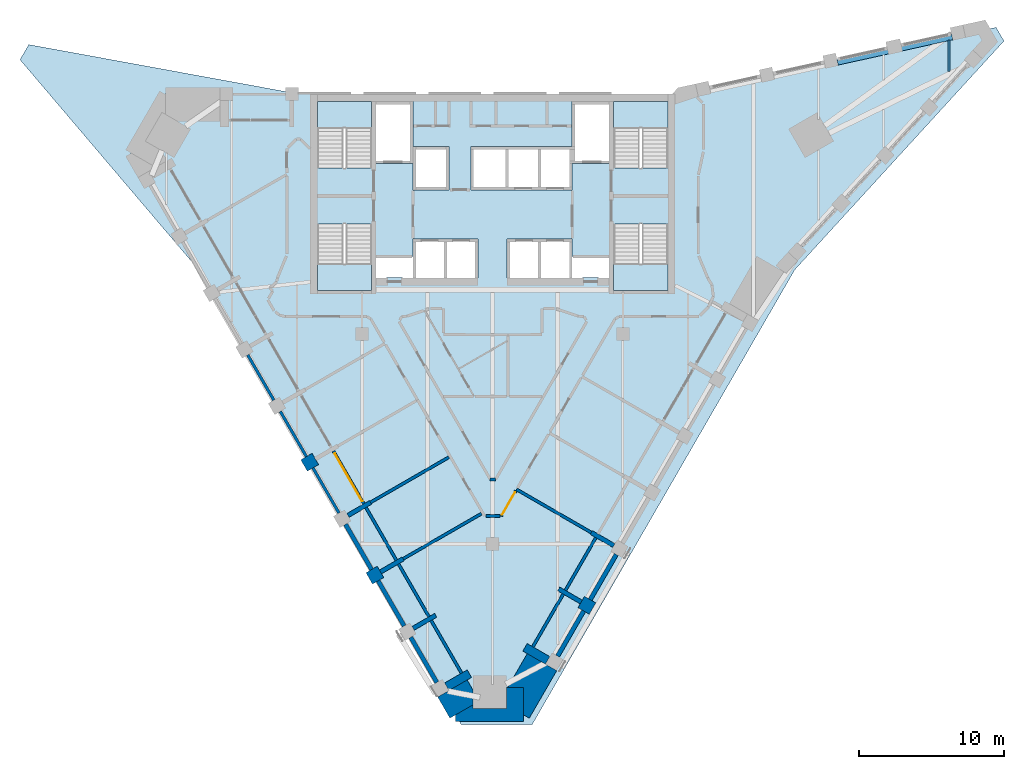
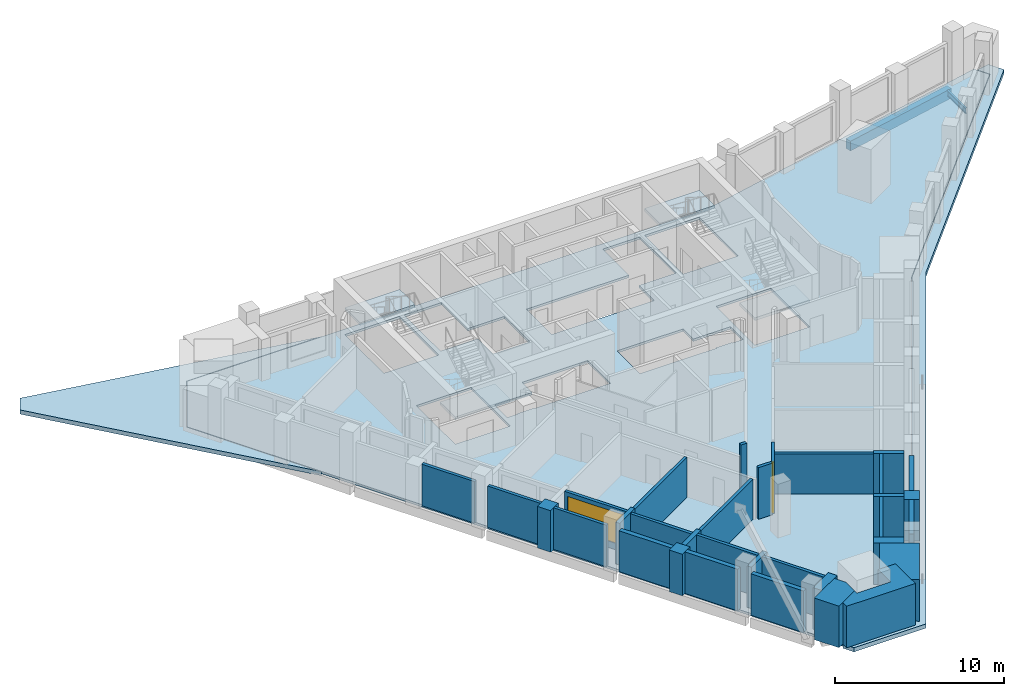
# One storey, part 2 of 9: 33 walls, 7 slabs, 2 beams, 1 door, 1 window, 2 openings, 4 elements without a shape of their own.
"""IFC4 building model written with IfcOpenShell, lengths in metres."""

from ifc_helpers import new_model, si_unit, direction, frame, frame_2d, origin, origin_2d, place, context, subcontext, project, spatial, polyline, rectangle, i_section, outline, extrude, material, layer, layer_set, material_profile, profile_set, type_object, element, fill, aggregate, save


model = new_model("IFC4")

# Units and contexts
model_context = context("Model", 3, precision=1e-05, world=origin(), true_north=direction((0.0, 1.0)))
body_context = subcontext(model_context, "Body", "Model", "MODEL_VIEW")
ifc_project = project(units=[si_unit("LENGTHUNIT", "METRE"), si_unit("AREAUNIT", "SQUARE_METRE"), si_unit("VOLUMEUNIT", "CUBIC_METRE"), si_unit("PLANEANGLEUNIT", "RADIAN"), si_unit("MASSUNIT", "GRAM", prefix="KILO")], contexts=[model_context])

# Site, building, storey
site_placement = place(None, origin())
site = spatial("IfcSite", under=ifc_project, at=site_placement, CompositionType="ELEMENT")
building_placement = place(site_placement, origin())
building = spatial("IfcBuilding", under=site, at=building_placement, Name="Calabash Gate Tower", CompositionType="ELEMENT")
storey_placement = place(building_placement, frame((0.0, 0.0, 248.199951171875)))
storey = spatial("IfcBuildingStorey", under=building, at=storey_placement, Name="L59", CompositionType="ELEMENT", Elevation=248.199951171875)

# Beams
ifc_material_1 = material(Name="Concrete C50/60", Category="concrete")
ifc_material_profile_1 = material_profile(ifc_material_1, rectangle(XDim=0.39990234375, YDim=0.699951171875, at=origin_2d()))
ifc_profile_set_1 = profile_set([ifc_material_profile_1], Name="Concrete C50/60")
beam_type_1 = type_object("IfcBeamType", Name="Edge beam RC 400x700 Concrete C50/60", PredefinedType="BEAM", material=ifc_profile_set_1)
beam_1_placement = place(storey_placement, frame((31.72705078125, 23.006103515625, -0.52001953125), z_axis=(-0.976492437334, -0.215551663945, 0.0), x_axis=(0.215551663945, -0.976492437334, 0.0)))
element("IfcBeam", 1, at=beam_1_placement, inside=storey, type_object=beam_type_1, Name="Edge beam L59 14", PredefinedType="BEAM", context=body_context, shape_type="SweptSolid", body=[
    extrude(rectangle(XDim=0.39990234375, YDim=0.699951171875, at=origin_2d()), origin(), (0.0, 0.0, 1.0), 8.1005859375),
])
ifc_material_2 = material(Name="Steel ASTM A992 Gr50", Category="steel")
ifc_material_profile_2 = material_profile(ifc_material_2, i_section(OverallWidth=0.1396484375, OverallDepth=0.398681640625, WebThickness=0.00634765625, FlangeThickness=0.0087890625, FilletRadius=0.01025390625, at=origin_2d()))
ifc_profile_set_2 = profile_set([ifc_material_profile_2], Name="Steel ASTM A992 Gr50")
beam_type_2 = type_object("IfcBeamType", Name="Floor beam W16x26 ASTM A992 Gr50", PredefinedType="BEAM", material=ifc_profile_set_2)
beam_2_placement = place(storey_placement, frame((31.5, 20.623046875, -0.368896484375), z_axis=(0.0, 1.0, 0.0), x_axis=(-1.0, 0.0, 0.0)))
element("IfcBeam", 2, at=beam_2_placement, inside=storey, type_object=beam_type_2, Name="Floor beam L59 21", PredefinedType="BEAM", context=body_context, shape_type="SweptSolid", body=[
    extrude(i_section(OverallWidth=0.1396484375, OverallDepth=0.398681640625, WebThickness=0.00634765625, FlangeThickness=0.0087890625, FilletRadius=0.01025390625, at=origin_2d()), origin(), (0.0, 0.0, 1.0), 2.159912109375),
])

# Slabs
ifc_material_3 = material(Name="Concrete C40/50", Category="concrete")
ifc_layer_1 = layer(ifc_material_3, 0.169921875)
ifc_layer_set_1 = layer_set([ifc_layer_1], Name="Composite floor slab 170 Concrete C40/50")
slab_type_1 = type_object("IfcSlabType", Name="Composite floor slab 170 Concrete C40/50", PredefinedType="FLOOR", material=ifc_layer_set_1)
slab_1_placement = place(storey_placement, frame((0.0, 0.0, -0.169921875)))
element("IfcSlab", 3, at=slab_1_placement, inside=storey, type_object=slab_type_1, Name="Floor slab L59", PredefinedType="FLOOR", context=body_context, shape_type="SweptSolid", body=[
    extrude(outline(polyline([(-24.941650390625, 14.9833984375), (-22.59228515625, 19.052490234375), (12.88134765625, 19.052490234375), (33.783935546875, 23.664794921875), (34.326904296875, 22.724365234375), (19.88134765625, 6.92822265625), (2.14453125, -23.79296875), (-2.553955078125, -23.79296875), (-24.941650390625, 14.9833984375)]), holes=[polyline([(-1.0, 9.052490234375), (-3.25, 9.052490234375), (-5.5, 9.052490234375), (-5.5, 7.8525390625), (-8.050048828125, 7.8525390625), (-8.050048828125, 6.3525390625), (-7.324951171875, 6.3525390625), (-7.324951171875, 6.402587890625), (-6.22509765625, 6.402587890625), (-6.22509765625, 6.3525390625), (-5.5, 6.3525390625), (-3.25, 6.3525390625), (-1.0, 6.3525390625), (-1.0, 9.052490234375)]), polyline([(3.25, 6.3525390625), (5.5, 6.3525390625), (6.22509765625, 6.3525390625), (6.22509765625, 6.402587890625), (7.324951171875, 6.402587890625), (7.324951171875, 6.3525390625), (8.050048828125, 6.3525390625), (8.050048828125, 7.8525390625), (5.5, 7.8525390625), (5.5, 9.052490234375), (3.25, 9.052490234375), (1.0, 9.052490234375), (1.0, 6.3525390625), (3.25, 6.3525390625)]), polyline([(-5.5, 14.252685546875), (-5.5, 12.45263671875), (-3.0, 12.45263671875), (-3.0, 15.45263671875), (-5.5, 15.45263671875), (-5.5, 18.552490234375), (-8.050048828125, 18.552490234375), (-8.050048828125, 14.252685546875), (-5.5, 14.252685546875)]), polyline([(1.0, 15.45263671875), (-1.5, 15.45263671875), (-1.5, 12.45263671875), (1.0, 12.45263671875), (3.25, 12.45263671875), (5.5, 12.45263671875), (5.5, 14.252685546875), (8.050048828125, 14.252685546875), (8.050048828125, 18.552490234375), (5.5, 18.552490234375), (5.5, 15.45263671875), (3.25, 15.45263671875), (1.0, 15.45263671875)]), polyline([(-8.35009765625, 18.552490234375), (-12.10009765625, 18.552490234375), (-12.10009765625, 13.95263671875), (-8.35009765625, 13.95263671875), (-8.35009765625, 18.552490234375)]), polyline([(-12.10009765625, 10.1025390625), (-12.10009765625, 5.502685546875), (-8.35009765625, 5.502685546875), (-8.35009765625, 10.1025390625), (-12.10009765625, 10.1025390625)]), polyline([(8.35009765625, 13.95263671875), (12.10009765625, 13.95263671875), (12.10009765625, 18.552490234375), (8.35009765625, 18.552490234375), (8.35009765625, 13.95263671875)]), polyline([(12.10009765625, 5.502685546875), (12.10009765625, 10.1025390625), (8.35009765625, 10.1025390625), (8.35009765625, 5.502685546875), (12.10009765625, 5.502685546875)])]), origin(), (0.0, 0.0, 1.0), 0.169921875),
])
ifc_material_4 = material(Name="Concrete C40/50", Category="concrete")
ifc_layer_2 = layer(ifc_material_4, 0.300048828125)
ifc_layer_set_2 = layer_set([ifc_layer_2], Name="Reinforced concrete roof slab 300 Concrete C40/50")
slab_type_2 = type_object("IfcSlabType", Name="Reinforced concrete roof slab 300 Concrete C40/50", PredefinedType="ROOF", material=ifc_layer_set_2)
slab_2_placement = place(storey_placement, frame((0.0, 0.0, -0.300048828125)))
element("IfcSlab", 4, at=slab_2_placement, inside=storey, type_object=slab_type_2, Name="Roof slab L58 1", PredefinedType="ROOF", context=body_context, shape_type="SweptSolid", body=[
    extrude(outline(polyline([(-32.620361328125, 21.43115234375), (-32.015625, 22.478515625), (-13.400146484375, 19.072509765625), (-22.59228515625, 19.072509765625), (-22.59423828125, 19.072509765625), (-22.59619140625, 19.072265625), (-22.597900390625, 19.07177734375), (-22.599853515625, 19.071044921875), (-22.6015625, 19.0703125), (-22.60302734375, 19.0693359375), (-22.604736328125, 19.068359375), (-22.606201171875, 19.067138671875), (-22.607421875, 19.065673828125), (-22.608642578125, 19.064208984375), (-22.609619140625, 19.0625), (-24.958984375, 14.993408203125), (-24.959716796875, 14.99169921875), (-24.96044921875, 14.989990234375), (-24.961181640625, 14.98828125), (-24.96142578125, 14.986328125), (-24.961669921875, 14.984375), (-24.961669921875, 14.982421875), (-24.96142578125, 14.980712890625), (-24.961181640625, 14.978759765625), (-24.96044921875, 14.976806640625), (-24.959716796875, 14.97509765625), (-24.958984375, 14.973388671875), (-20.36279296875, 7.012939453125), (-32.620361328125, 21.43115234375)])), origin(), (0.0, 0.0, 1.0), 0.300048828125),
])
slab_3_placement = place(storey_placement, frame((0.0, 0.0, -0.300048828125)))
element("IfcSlab", 5, at=slab_3_placement, inside=storey, type_object=slab_type_2, Name="Roof slab L58 2", PredefinedType="ROOF", context=body_context, shape_type="SweptSolid", body=[
    extrude(outline(polyline([(34.7607421875, 23.664794921875), (35.303955078125, 22.724365234375), (20.8583984375, 6.92822265625), (2.740478515625, -24.452880859375), (-2.173095703125, -24.452880859375), (-2.54248046875, -23.81298828125), (2.14453125, -23.81298828125), (2.146484375, -23.81298828125), (2.1484375, -23.812744140625), (2.150146484375, -23.812255859375), (2.152099609375, -23.8115234375), (2.15380859375, -23.810791015625), (2.1552734375, -23.809814453125), (2.156982421875, -23.808837890625), (2.158447265625, -23.807373046875), (2.15966796875, -23.80615234375), (2.160888671875, -23.8046875), (2.161865234375, -23.802978515625), (19.897705078125, 6.916259765625), (34.341796875, 22.710693359375), (34.343017578125, 22.712158203125), (34.343994140625, 22.7138671875), (34.344970703125, 22.715576171875), (34.345703125, 22.71728515625), (34.346435546875, 22.71923828125), (34.3466796875, 22.72119140625), (34.346923828125, 22.72314453125), (34.346923828125, 22.72509765625), (34.3466796875, 22.72705078125), (34.346435546875, 22.728759765625), (34.345947265625, 22.730712890625), (34.34521484375, 22.732421875), (34.34423828125, 22.734130859375), (33.914794921875, 23.47802734375), (34.7607421875, 23.664794921875)])), origin(), (0.0, 0.0, 1.0), 0.300048828125),
])

# Stair, slab
ifc_material_5 = material(Name="Concrete C40/50", Category="concrete")
stair_type = type_object("IfcStairType", Name="Exit stair 22 risers of 177.3 mm", PredefinedType="HALF_TURN_STAIR", material=ifc_material_5)
stair_1_placement = place(storey_placement, origin())
stair_1 = element("IfcStair", 6, at=stair_1_placement, inside=storey, type_object=stair_type, Name="L59 Exit stair ST1", PredefinedType="HALF_TURN_STAIR")
ifc_material_6 = material(Name="Concrete C40/50", Category="concrete")
ifc_layer_3 = layer(ifc_material_6, 0.199951171875)
ifc_layer_set_3 = layer_set([ifc_layer_3], Name="Stair landing SL200")
slab_type_3 = type_object("IfcSlabType", Name="Stair landing SL200", PredefinedType="LANDING", material=ifc_layer_set_3)
slab_4_placement = place(storey_placement, frame((0.0, 0.0, 1.75)))
slab_4 = element("IfcSlab", 7, at=slab_4_placement, type_object=slab_type_3, Name="ST1 landing 1", PredefinedType="LANDING", context=body_context, shape_type="SweptSolid", body=[
    extrude(outline(polyline([(-8.35009765625, 16.74267578125), (-8.35009765625, 18.552490234375), (-12.10009765625, 18.552490234375), (-12.10009765625, 16.74267578125), (-8.35009765625, 16.74267578125)])), origin(), (0.0, 0.0, 1.0), 0.199951171875),
])
aggregate(stair_1, [slab_4])

stair_2_placement = place(storey_placement, origin())
stair_2 = element("IfcStair", 8, at=stair_2_placement, inside=storey, type_object=stair_type, Name="L59 Exit stair ST2", PredefinedType="HALF_TURN_STAIR")
slab_5_placement = place(storey_placement, frame((0.0, 0.0, 1.75)))
slab_5 = element("IfcSlab", 9, at=slab_5_placement, type_object=slab_type_3, Name="ST2 landing 1", PredefinedType="LANDING", context=body_context, shape_type="SweptSolid", body=[
    extrude(outline(polyline([(-12.10009765625, 7.3125), (-12.10009765625, 5.502685546875), (-8.35009765625, 5.502685546875), (-8.35009765625, 7.3125), (-12.10009765625, 7.3125)])), origin(), (0.0, 0.0, 1.0), 0.199951171875),
])
aggregate(stair_2, [slab_5])

stair_3_placement = place(storey_placement, origin())
stair_3 = element("IfcStair", 10, at=stair_3_placement, inside=storey, type_object=stair_type, Name="L59 Exit stair ST3", PredefinedType="HALF_TURN_STAIR")
slab_6_placement = place(storey_placement, frame((0.0, 0.0, 1.75)))
slab_6 = element("IfcSlab", 11, at=slab_6_placement, type_object=slab_type_3, Name="ST3 landing 1", PredefinedType="LANDING", context=body_context, shape_type="SweptSolid", body=[
    extrude(outline(polyline([(12.10009765625, 16.74267578125), (12.10009765625, 18.552490234375), (8.35009765625, 18.552490234375), (8.35009765625, 16.74267578125), (12.10009765625, 16.74267578125)])), origin(), (0.0, 0.0, 1.0), 0.199951171875),
])
aggregate(stair_3, [slab_6])

stair_4_placement = place(storey_placement, origin())
stair_4 = element("IfcStair", 12, at=stair_4_placement, inside=storey, type_object=stair_type, Name="L59 Exit stair ST4", PredefinedType="HALF_TURN_STAIR")
slab_7_placement = place(storey_placement, frame((0.0, 0.0, 1.75)))
slab_7 = element("IfcSlab", 13, at=slab_7_placement, type_object=slab_type_3, Name="ST4 landing 1", PredefinedType="LANDING", context=body_context, shape_type="SweptSolid", body=[
    extrude(outline(polyline([(8.35009765625, 7.3125), (8.35009765625, 5.502685546875), (12.10009765625, 5.502685546875), (12.10009765625, 7.3125), (8.35009765625, 7.3125)])), origin(), (0.0, 0.0, 1.0), 0.199951171875),
])
aggregate(stair_4, [slab_7])

# Walls
ifc_material_7 = material(Name="Terracotta brick masonry, exposed face", Category="masonry")
ifc_layer_4 = layer(ifc_material_7, 2.35009765625)
ifc_layer_set_4 = layer_set([ifc_layer_4], Name="Brick corner mass wall 2350")
wall_type_1 = type_object("IfcWallType", Name="Brick corner mass wall 2350", PredefinedType="SOLIDWALL", material=ifc_layer_set_4)
wall_1_placement = place(storey_placement, origin())
element("IfcWall", 14, at=wall_1_placement, inside=storey, type_object=wall_type_1, Name="Brick corner pier S17 1a", PredefinedType="SOLIDWALL", context=body_context, shape_type="SweptSolid", body=[
    extrude(outline(polyline([(-1.35302734375, -22.0732421875), (-1.75244140625, -21.381591796875), (-3.00830078125, -22.106689453125), (-3.00830078125, -22.106689453125), (-3.78759765625, -22.556640625), (-2.94384765625, -24.01806640625), (-1.35302734375, -23.099609375), (-1.35302734375, -22.0732421875)])), origin(), (0.0, 0.0, 1.0), 3.0),
])
wall_2_placement = place(storey_placement, origin())
element("IfcWall", 15, at=wall_2_placement, inside=storey, type_object=wall_type_1, Name="Brick corner pier S17 1b", PredefinedType="SOLIDWALL", context=body_context, shape_type="SweptSolid", body=[
    extrude(outline(polyline([(-1.35302734375, -23.365966796875), (-1.35302734375, -23.099609375), (-2.553955078125, -23.79296875), (-2.553955078125, -24.242919921875), (2.14453125, -24.242919921875), (2.14453125, -21.89306640625), (0.947021484375, -21.89306640625), (0.947021484375, -23.365966796875), (-1.35302734375, -23.365966796875)])), origin(), (0.0, 0.0, 1.0), 3.0),
])
wall_3_placement = place(storey_placement, origin())
element("IfcWall", 16, at=wall_3_placement, inside=storey, type_object=wall_type_1, Name="Brick corner pier S17 1c", PredefinedType="SOLIDWALL", context=body_context, shape_type="SweptSolid", body=[
    extrude(outline(polyline([(3.6484375, -20.28857421875), (2.392578125, -19.5634765625), (1.047607421875, -21.89306640625), (2.14453125, -21.89306640625), (2.14453125, -23.79296875), (2.5341796875, -24.01806640625), (4.427490234375, -20.73876953125), (3.648193359375, -20.288818359375), (3.6484375, -20.28857421875)])), origin(), (0.0, 0.0, 1.0), 3.0),
])
ifc_material_8 = material(Name="Terracotta brick masonry, exposed face", Category="masonry")
ifc_layer_5 = layer(ifc_material_8, 0.89990234375)
ifc_layer_set_5 = layer_set([ifc_layer_5], Name="Brick end wall 900")
wall_type_2 = type_object("IfcWallType", Name="Brick end wall 900", PredefinedType="SOLIDWALL", material=ifc_layer_set_5)
wall_4_placement = place(storey_placement, frame((-13.012451171875, -6.578369140625, 0.0), z_axis=(0.0, 0.0, 1.0), x_axis=(0.866013897511, 0.50001992892, 0.0)))
element("IfcWall", 17, at=wall_4_placement, inside=storey, type_object=wall_type_2, Name="Brick pier S17 SW0.5", PredefinedType="SOLIDWALL", context=body_context, shape_type="SweptSolid", body=[
    extrude(rectangle(XDim=0.89990234375, YDim=0.89990234375, at=frame_2d((0.449951171875, 0.0))), origin(), (0.0, 0.0, 1.0), 3.0),
])
for number, where, z_axis, x_axis, name in (
    (18, (-7.89794921875, -14.537353515625, 0.0), (0.0, 0.0, 1.0), (-0.499902469156, 0.866081705922, 0.0), "Brick pier S17 SW0.7"),
    (19, (6.2880859375, -16.616455078125, 0.0), (0.0, 0.0, 1.0), (0.499902469156, 0.866081705922, 0.0), "Brick pier S17 SE2.1"),
):
    element("IfcWall", number, at=place(storey_placement, frame(where, z_axis=z_axis, x_axis=x_axis)), inside=storey, type_object=wall_type_2, Name=name, PredefinedType="SOLIDWALL", context=body_context, shape_type="SweptSolid", body=[
        extrude(rectangle(XDim=0.900146484375, YDim=0.89990234375, at=frame_2d((0.4501953125, 0.0))), origin(), (0.0, 0.0, 1.0), 3.0),
    ])
ifc_material_9 = material(Name="Terracotta brick masonry, exposed face", Category="masonry")
ifc_layer_6 = layer(ifc_material_9, 0.300048828125)
ifc_layer_set_6 = layer_set([ifc_layer_6], Name="Brick infill panel wall 300")
wall_type_3 = type_object("IfcWallType", Name="Brick infill panel wall 300", PredefinedType="SOLIDWALL", material=ifc_layer_set_6)
wall_5_placement = place(storey_placement, frame((-10.14794921875, -10.64013671875, 0.0), z_axis=(0.0, 0.0, 1.0), x_axis=(0.500012057535, -0.866018442252, 0.0)))
element("IfcWall", 20, at=wall_5_placement, inside=storey, type_object=wall_type_3, Name="Brick panel S17 SW0.7", PredefinedType="SOLIDWALL", context=body_context, shape_type="SweptSolid", body=[
    extrude(rectangle(XDim=3.60009765625, YDim=0.300048828125, at=frame_2d((1.800048828125, 0.0))), origin(), (0.0, 0.0, 1.0), 2.9501953125),
])
wall_6_placement = place(storey_placement, frame((-6.0986328125, -17.653564453125, 0.0), z_axis=(0.0, 0.0, 1.0), x_axis=(-0.500035678719, 0.866004803686, 0.0)))
element("IfcWall", 21, at=wall_6_placement, inside=storey, type_object=wall_type_3, Name="Brick panel S17 SW0.8", PredefinedType="SOLIDWALL", context=body_context, shape_type="SweptSolid", body=[
    extrude(rectangle(XDim=3.598388671875, YDim=0.300048828125, at=frame_2d((1.79931640625, 0.0))), origin(), (0.0, 0.0, 1.0), 3.0),
])
for number, where, z_axis, x_axis, name in (
    (22, (-5.64794921875, -18.434326171875, 0.0), (0.0, 0.0, 1.0), (0.500012057535, -0.866018442252, 0.0), "Brick panel S17 SW0.9"),
    (23, (4.488037109375, -19.734130859375, 0.0), (0.0, 0.0, 1.0), (0.500012057535, 0.866018442252, 0.0), "Brick panel S17 SE2.1"),
):
    element("IfcWall", number, at=place(storey_placement, frame(where, z_axis=z_axis, x_axis=x_axis)), inside=storey, type_object=wall_type_3, Name=name, PredefinedType="SOLIDWALL", context=body_context, shape_type="SweptSolid", body=[
        extrude(rectangle(XDim=3.60009765625, YDim=0.300048828125, at=frame_2d((1.800048828125, 0.0))), origin(), (0.0, 0.0, 1.0), 3.0),
    ])
wall_7_placement = place(storey_placement, frame((6.738037109375, -15.8369140625, 0.0), z_axis=(0.0, 0.0, 1.0), x_axis=(0.499990559667, 0.866030854095, 0.0)))
element("IfcWall", 24, at=wall_7_placement, inside=storey, type_object=wall_type_3, Name="Brick panel S17 SE2.2", PredefinedType="SOLIDWALL", context=body_context, shape_type="SweptSolid", body=[
    extrude(rectangle(XDim=3.599609375, YDim=0.300048828125, at=frame_2d((1.7998046875, 0.0))), origin(), (0.0, 0.0, 1.0), 3.0),
])
ifc_material_10 = material(Name="Terracotta brick masonry, exposed face", Category="masonry")
ifc_layer_7 = layer(ifc_material_10, 0.300048828125)
ifc_layer_set_7 = layer_set([ifc_layer_7], Name="Brick loggia cheek wall 300")
wall_type_4 = type_object("IfcWallType", Name="Brick loggia cheek wall 300", PredefinedType="SOLIDWALL", material=ifc_layer_set_7)
for number, where, z_axis, x_axis, name in (
    (25, (-9.983154296875, -10.025390625, 0.0), (0.0, 0.0, 1.0), (0.866047807691, 0.499961193289, 0.0), "Loggia cheek S17 SW0.6"),
    (26, (-6.17431640625, -13.0224609375, 0.0), (0.0, 0.0, 1.0), (-0.865989075817, -0.500062916607, 0.0), "Loggia cheek S17 SW0.7"),
):
    element("IfcWall", number, at=place(storey_placement, frame(where, z_axis=z_axis, x_axis=x_axis)), inside=storey, type_object=wall_type_4, Name=name, PredefinedType="SOLIDWALL", context=body_context, shape_type="SweptSolid", body=[
        extrude(rectangle(XDim=1.800048828125, YDim=0.300048828125, at=frame_2d((0.89990234375, 0.0))), origin(), (0.0, 0.0, 1.0), 3.0),
    ])
wall_8_placement = place(storey_placement, frame((-3.92431640625, -16.919677734375, 0.0), z_axis=(0.0, 0.0, 1.0), x_axis=(-0.866004803686, -0.500035678719, 0.0)))
element("IfcWall", 27, at=wall_8_placement, inside=storey, type_object=wall_type_4, Name="Loggia cheek S17 SW0.8", PredefinedType="SOLIDWALL", context=body_context, shape_type="SweptSolid", body=[
    extrude(rectangle(XDim=1.799072265625, YDim=0.300048828125, at=frame_2d((0.8994140625, 0.0))), origin(), (0.0, 0.0, 1.0), 3.0),
])
for number, where, z_axis, x_axis, name in (
    (28, (-3.158203125, -21.8466796875, 0.0), (0.0, 0.0, 1.0), (0.866047807691, 0.499961193289, 0.0), "Loggia cheek S17 SW0.9"),
    (29, (3.79833984375, -20.028564453125, 0.0), (0.0, 0.0, 1.0), (-0.866047807691, 0.499961193289, 0.0), "Loggia cheek S17 SE2.0"),
):
    element("IfcWall", number, at=place(storey_placement, frame(where, z_axis=z_axis, x_axis=x_axis)), inside=storey, type_object=wall_type_4, Name=name, PredefinedType="SOLIDWALL", context=body_context, shape_type="SweptSolid", body=[
        extrude(rectangle(XDim=1.800048828125, YDim=0.60009765625, at=frame_2d((0.89990234375, 0.0))), origin(), (0.0, 0.0, 1.0), 3.0),
    ])
wall_9_placement = place(storey_placement, frame((6.123291015625, -16.001708984375, 0.0), z_axis=(0.0, 0.0, 1.0), x_axis=(-0.865989075817, 0.500062916607, 0.0)))
element("IfcWall", 30, at=wall_9_placement, inside=storey, type_object=wall_type_4, Name="Loggia cheek S17 SE2.1", PredefinedType="SOLIDWALL", context=body_context, shape_type="SweptSolid", body=[
    extrude(rectangle(XDim=1.800048828125, YDim=0.300048828125, at=frame_2d((0.89990234375, 0.0))), origin(), (0.0, 0.0, 1.0), 3.0),
])
wall_10_placement = place(storey_placement, frame((8.373291015625, -12.1044921875, 0.0), z_axis=(0.0, 0.0, 1.0), x_axis=(-0.866047807691, 0.499961193289, 0.0)))
element("IfcWall", 31, at=wall_10_placement, inside=storey, type_object=wall_type_4, Name="Loggia cheek S17 SE2.2", PredefinedType="SOLIDWALL", context=body_context, shape_type="SweptSolid", body=[
    extrude(rectangle(XDim=1.800048828125, YDim=0.300048828125, at=frame_2d((0.89990234375, 0.0))), origin(), (0.0, 0.0, 1.0), 2.9501953125),
])
ifc_material_11 = material(Name="Gypsum board on steel studs, mineral wool", Category="steel")
ifc_layer_8 = layer(ifc_material_11, 0.199951171875)
ifc_layer_set_8 = layer_set([ifc_layer_8], Name="Partition 200 gypsum board EI 60")
wall_type_5 = type_object("IfcWallType", Name="Partition 200 gypsum board EI 60", PredefinedType="PARTITIONING", material=ifc_layer_set_8)
wall_11_placement = place(storey_placement, frame((-6.174072265625, -13.02294921875, 0.0), z_axis=(0.0, 0.0, 1.0), x_axis=(0.866143960209, 0.499794598003, 0.0)))
element("IfcWall", 32, at=wall_11_placement, inside=storey, type_object=wall_type_5, Name="Partition", PredefinedType="PARTITIONING", context=body_context, shape_type="SweptSolid", body=[
    extrude(rectangle(XDim=6.249755859375, YDim=0.199951171875, at=frame_2d((3.125, 0.0))), origin(), (0.0, 0.0, 1.0), 2.884033203125),
])
wall_12_placement = place(storey_placement, frame((-0.4453125, -10.072509765625, 0.0), z_axis=(0.0, 0.0, 1.0), x_axis=(1.0, 0.0, 0.0)))
element("IfcWall", 33, at=wall_12_placement, inside=storey, type_object=wall_type_5, Name="Partition", PredefinedType="PARTITIONING", context=body_context, shape_type="SweptSolid", body=[
    extrude(rectangle(XDim=0.943359375, YDim=0.199951171875, at=frame_2d((0.4716796875, 0.0))), origin(), (0.0, 0.0, 1.0), 3.72998046875),
])

# Wall, opening, door
wall_13_placement = place(storey_placement, frame((0.597900390625, -10.072509765625, 0.0), z_axis=(0.0, 0.0, 1.0), x_axis=(0.500670744682, 0.865637802675, 0.0)))
wall_13 = element("IfcWall", 34, at=wall_13_placement, inside=storey, type_object=wall_type_5, Name="Partition", PredefinedType="PARTITIONING", context=body_context, shape_type="SweptSolid", body=[
    extrude(rectangle(XDim=2.027587890625, YDim=0.199951171875, at=frame_2d((1.013671875, 0.0))), origin(), (0.0, 0.0, 1.0), 3.72998046875),
])
opening_1_placement = place(wall_13_placement, frame((0.10693359375, 0.0, 0.0)))
opening_1 = element("IfcOpeningElement", 35, at=opening_1_placement, cuts=wall_13, Name="Opening 59-61-012", PredefinedType="OPENING", context=body_context, shape_type="SweptSolid", body=[
    extrude(rectangle(XDim=1.800048828125, YDim=2.39990234375, at=frame_2d((0.89990234375, 1.199951171875))), frame((0.0, 0.10986328125, 0.0), z_axis=(0.0, -1.0, 0.0), x_axis=(1.0, 0.0, 0.0)), (0.0, 0.0, 1.0), 0.219970703125),
])
ifc_material_12 = material(Name="Steel fire door set with fire-resisting glazing", Category="steel")
door_type = type_object("IfcDoorType", Name="OD5 Open office double door 1800x2400", OperationType="NOTDEFINED", PredefinedType="DOOR", material=ifc_material_12)
door_placement = place(opening_1_placement, origin())
door = element("IfcDoor", 36, at=door_placement, inside=storey, type_object=door_type, Name="Open office double door", OperationType="DOUBLE_DOOR_SINGLE_SWING", OverallHeight=2.39990234375, OverallWidth=1.800048828125, PredefinedType="DOOR", context=body_context, shape_type="SweptSolid", body=[
    extrude(rectangle(XDim=1.800048828125, YDim=2.39990234375, at=frame_2d((0.89990234375, 1.199951171875))), frame((0.0, 0.02490234375, 0.0), z_axis=(0.0, -1.0, 0.0), x_axis=(1.0, 0.0, 0.0)), (0.0, 0.0, 1.0), 0.050048828125),
])
fill(opening_1, door)

# Walls
wall_14_placement = place(storey_placement, frame((1.660888671875, -8.2314453125, 0.0), z_axis=(0.0, 0.0, 1.0), x_axis=(0.866162357873, -0.499762713499, 0.0)))
element("IfcWall", 37, at=wall_14_placement, inside=storey, type_object=wall_type_5, Name="Partition", PredefinedType="PARTITIONING", context=body_context, shape_type="SweptSolid", body=[
    extrude(rectangle(XDim=5.94970703125, YDim=0.199951171875, at=frame_2d((2.974853515625, 0.0))), origin(), (0.0, 0.0, 1.0), 2.884033203125),
])
wall_15_placement = place(storey_placement, frame((-0.160888671875, -7.530029296875, 0.0), z_axis=(0.0, 0.0, 1.0), x_axis=(0.999986611797, -0.005174574964, 0.0)))
element("IfcWall", 38, at=wall_15_placement, inside=storey, type_object=wall_type_5, Name="Partition", PredefinedType="PARTITIONING", context=body_context, shape_type="SweptSolid", body=[
    extrude(rectangle(XDim=0.37744140625, YDim=0.199951171875, at=frame_2d((0.188720703125, 0.0))), origin(), (0.0, 0.0, 1.0), 3.72998046875),
])
wall_16_placement = place(storey_placement, frame((-8.42431640625, -9.12548828125, 0.0), z_axis=(0.0, 0.0, 1.0), x_axis=(0.866180383398, 0.499731471309, 0.0)))
element("IfcWall", 39, at=wall_16_placement, inside=storey, type_object=wall_type_5, Name="Partition", PredefinedType="PARTITIONING", context=body_context, shape_type="SweptSolid", body=[
    extrude(rectangle(XDim=6.25, YDim=0.199951171875, at=frame_2d((3.125, 0.0))), origin(), (0.0, 0.0, 1.0), 2.884033203125),
])
ifc_material_13 = material(Name="Terracotta brick masonry, perforated", Category="masonry")
ifc_layer_9 = layer(ifc_material_13, 0.199951171875)
ifc_layer_set_9 = layer_set([ifc_layer_9], Name="Terracotta jaali screen A")
wall_type_6 = type_object("IfcWallType", Name="Terracotta jaali screen A", PredefinedType="SOLIDWALL", material=ifc_layer_set_9)
for number, where, z_axis, x_axis, name in (
    (40, (-16.89794921875, 1.05126953125, 0.0), (0.0, 0.0, 1.0), (0.500012057535, -0.866018442252, 0.0), "SCREEN A S17 SW0.4"),
    (41, (-14.64794921875, -2.845947265625, 0.0), (0.0, 0.0, 1.0), (0.500012057535, -0.866018442252, 0.0), "SCREEN A S17 SW0.5"),
    (42, (-12.39794921875, -6.7431640625, 0.0), (0.0, 0.0, 1.0), (0.500012057535, -0.866018442252, 0.0), "SCREEN A S17 SW0.6"),
):
    element("IfcWall", number, at=place(storey_placement, frame(where, z_axis=z_axis, x_axis=x_axis)), inside=storey, type_object=wall_type_6, Name=name, PredefinedType="SOLIDWALL", context=body_context, shape_type="SweptSolid", body=[
        extrude(rectangle(XDim=3.60009765625, YDim=0.199951171875, at=frame_2d((1.800048828125, 0.0))), origin(), (0.0, 0.0, 1.0), 3.0),
    ])

# Wall, opening, window
ifc_material_14 = material(Name="Aluminium framed window wall with insulated spandrel", Category="aluminium")
ifc_layer_10 = layer(ifc_material_14, 0.199951171875)
ifc_layer_set_10 = layer_set([ifc_layer_10], Name="Window wall 200")
wall_type_7 = type_object("IfcWallType", Name="Window wall 200", PredefinedType="ELEMENTEDWALL", material=ifc_layer_set_10)
wall_17_placement = place(storey_placement, frame((-10.989013671875, -5.583251953125, 0.0), z_axis=(0.0, 0.0, 1.0), x_axis=(0.500027713859, -0.866009402589, 0.0)))
wall_17 = element("IfcWall", 43, at=wall_17_placement, inside=storey, type_object=wall_type_7, Name="Window wall S17 SW0.6", PredefinedType="ELEMENTEDWALL", context=body_context, shape_type="SweptSolid", body=[
    extrude(rectangle(XDim=4.199951171875, YDim=0.199951171875, at=frame_2d((2.10009765625, 0.0))), origin(), (0.0, 0.0, 1.0), 3.0),
])
opening_2_placement = place(wall_17_placement, frame((0.199951171875, 0.0, 0.449951171875)))
opening_2 = element("IfcOpeningElement", 44, at=opening_2_placement, cuts=wall_17, Name="Opening OW2", PredefinedType="OPENING", context=body_context, shape_type="SweptSolid", body=[
    extrude(rectangle(XDim=3.800048828125, YDim=2.25, at=frame_2d((1.89990234375, 1.125))), frame((0.0, 0.10986328125, 0.0), z_axis=(0.0, -1.0, 0.0), x_axis=(1.0, 0.0, 0.0)), (0.0, 0.0, 1.0), 0.219970703125),
])
ifc_material_15 = material(Name="Anodised aluminium frame, bronze finish, impact-rated laminated clear glazing", Category="aluminium")
window_type = type_object("IfcWindowType", Name="Window OW2 3800x2250", PartitioningType="TRIPLE_PANEL_VERTICAL", PredefinedType="WINDOW", material=ifc_material_15)
window_placement = place(opening_2_placement, origin())
window = element("IfcWindow", 45, at=window_placement, inside=storey, type_object=window_type, Name="Window OW2 S17 SW0.6", OverallHeight=2.25, OverallWidth=3.800048828125, PartitioningType="SINGLE_PANEL", PredefinedType="WINDOW", context=body_context, shape_type="SweptSolid", body=[
    extrude(rectangle(XDim=3.800048828125, YDim=2.25, at=frame_2d((1.89990234375, 1.125))), frame((0.0, 0.030029296875, 0.0), z_axis=(0.0, -1.0, 0.0), x_axis=(1.0, 0.0, 0.0)), (0.0, 0.0, 1.0), 0.06005859375),
])
fill(opening_2, window)

# Walls
wall_18_placement = place(storey_placement, frame((-8.739013671875, -9.48046875, 0.0), z_axis=(0.0, 0.0, 1.0), x_axis=(0.500027713859, -0.866009402589, 0.0)))
element("IfcWall", 46, at=wall_18_placement, inside=storey, type_object=wall_type_7, Name="Window wall S17 SW0.7", PredefinedType="ELEMENTEDWALL", context=body_context, shape_type="SweptSolid", body=[
    extrude(rectangle(XDim=4.199951171875, YDim=0.199951171875, at=frame_2d((2.10009765625, 0.0))), origin(), (0.0, 0.0, 1.0), 2.9501953125),
])
wall_19_placement = place(storey_placement, frame((-6.489013671875, -13.37744140625, 0.0), z_axis=(0.0, 0.0, 1.0), x_axis=(0.500002543286, -0.866023935413, 0.0)))
element("IfcWall", 47, at=wall_19_placement, inside=storey, type_object=wall_type_7, Name="Window wall S17 SW0.8", PredefinedType="ELEMENTEDWALL", context=body_context, shape_type="SweptSolid", body=[
    extrude(rectangle(XDim=4.2001953125, YDim=0.199951171875, at=frame_2d((2.10009765625, 0.0))), origin(), (0.0, 0.0, 1.0), 3.0),
])
for number, where, z_axis, x_axis, name in (
    (48, (-4.239013671875, -17.274658203125, 0.0), (0.0, 0.0, 1.0), (0.500027713859, -0.866009402589, 0.0), "Window wall S17 SW0.9"),
    (49, (2.779052734375, -19.09375, 0.0), (0.0, 0.0, 1.0), (0.500027713859, 0.866009402589, 0.0), "Window wall S17 SE2.1"),
):
    element("IfcWall", number, at=place(storey_placement, frame(where, z_axis=z_axis, x_axis=x_axis)), inside=storey, type_object=wall_type_7, Name=name, PredefinedType="ELEMENTEDWALL", context=body_context, shape_type="SweptSolid", body=[
        extrude(rectangle(XDim=4.199951171875, YDim=0.199951171875, at=frame_2d((2.10009765625, 0.0))), origin(), (0.0, 0.0, 1.0), 3.0),
    ])
wall_20_placement = place(storey_placement, frame((5.029052734375, -15.19677734375, 0.0), z_axis=(0.0, 0.0, 1.0), x_axis=(0.500002543286, 0.866023935413, 0.0)))
element("IfcWall", 50, at=wall_20_placement, inside=storey, type_object=wall_type_7, Name="Window wall S17 SE2.2", PredefinedType="ELEMENTEDWALL", context=body_context, shape_type="SweptSolid", body=[
    extrude(rectangle(XDim=4.2001953125, YDim=0.199951171875, at=frame_2d((2.10009765625, 0.0))), origin(), (0.0, 0.0, 1.0), 2.9501953125),
])

save(model, "model.ifc")
